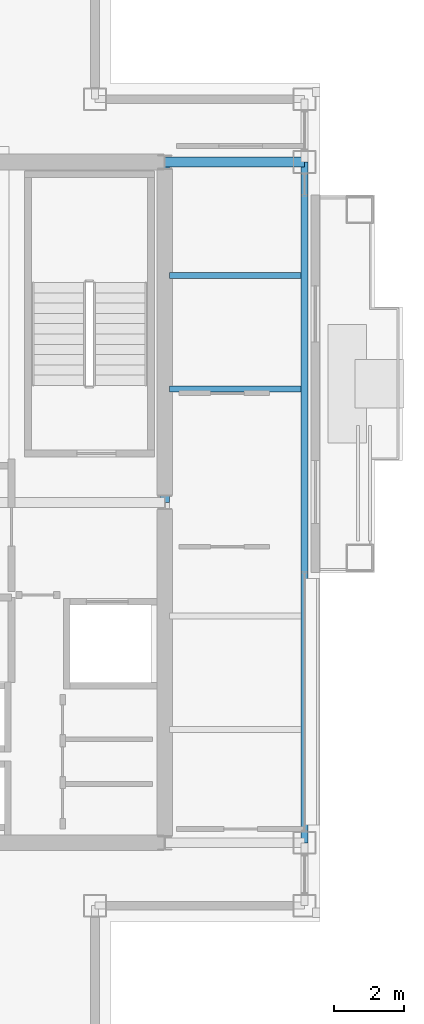
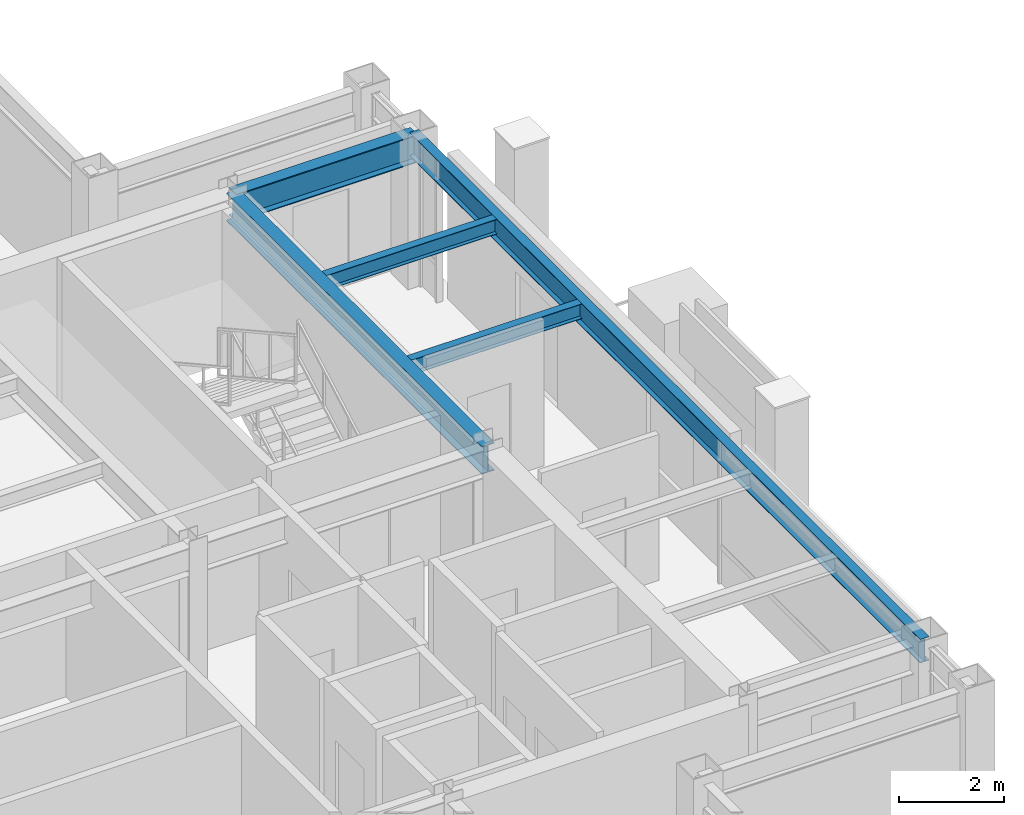
# One storey, part 12 of 24: 5 beams.
"""IFC4 building model written with IfcOpenShell, lengths in metres."""

from ifc_helpers import new_model, si_unit, direction, frame, origin, origin_2d, place, context, subcontext, project, spatial, i_section, extrude, material, material_profile, profile_set, type_object, element, save


model = new_model("IFC4")

# Units and contexts
model_context = context("Model", 3, precision=1e-05, world=origin(), true_north=direction((0.0, 1.0)))
body_context = subcontext(model_context, "Body", "Model", "MODEL_VIEW")
ifc_project = project(units=[si_unit("LENGTHUNIT", "METRE"), si_unit("AREAUNIT", "SQUARE_METRE"), si_unit("VOLUMEUNIT", "CUBIC_METRE"), si_unit("PLANEANGLEUNIT", "RADIAN"), si_unit("MASSUNIT", "GRAM", prefix="KILO")], contexts=[model_context])

# Site, building, storey
site_placement = place(None, origin())
site = spatial("IfcSite", under=ifc_project, at=site_placement, CompositionType="ELEMENT")
building_placement = place(site_placement, origin())
building = spatial("IfcBuilding", under=site, at=building_placement, Name="Brelmoor Portico Tower", CompositionType="ELEMENT")
storey_placement = place(building_placement, frame((0.0, 0.0, 229.199951171875)))
storey = spatial("IfcBuildingStorey", under=building, at=storey_placement, Name="L60", CompositionType="ELEMENT", Elevation=229.199951171875)

# Beams
ifc_material = material(Name="Steel Q355B", Category="steel")
ifc_material_profile_1 = material_profile(ifc_material, i_section(OverallWidth=0.175048828125, OverallDepth=0.35009765625, WebThickness=0.007080078125, FlangeThickness=0.010986328125, at=origin_2d()), Name="HN 350x175x7x11")
ifc_profile_set_1 = profile_set([ifc_material_profile_1], Name="Steel Q355B")
beam_type_1 = type_object("IfcBeamType", Name="BM-JS-350", PredefinedType="JOIST", material=ifc_profile_set_1)
for number, where, z_axis, x_axis, name in (
    (1, (14.68994140625, 3.25, 3.22509765625), (1.0, 0.0, 0.0), (0.0, 1.0, 0.0), "L60 Secondary Wing Joist JS-E13"),
    (2, (14.68994140625, 6.5, 3.22509765625), (1.0, 0.0, 0.0), (0.0, 1.0, 0.0), "L60 Secondary Wing Joist JS-E14"),
):
    element("IfcBeam", number, at=place(storey_placement, frame(where, z_axis=z_axis, x_axis=x_axis)), inside=storey, type_object=beam_type_1, Name=name, PredefinedType="JOIST", context=body_context, shape_type="SweptSolid", body=[
        extrude(i_section(OverallWidth=0.175048828125, OverallDepth=0.35009765625, WebThickness=0.007080078125, FlangeThickness=0.010986328125, at=origin_2d()), origin(), (0.0, 0.0, 1.0), 3.760009765625),
    ])
ifc_material_profile_2 = material_profile(ifc_material, i_section(OverallWidth=0.280029296875, OverallDepth=0.64990234375, WebThickness=0.012939453125, FlangeThickness=0.02197265625, at=origin_2d()), Name="HN 650x280x13x22")
ifc_profile_set_2 = profile_set([ifc_material_profile_2], Name="Steel Q355B")
beam_type_2 = type_object("IfcBeamType", Name="BM-PG-650", PredefinedType="BEAM", material=ifc_profile_set_2)
beam_1_placement = place(storey_placement, frame((14.550048828125, 0.0, 3.074951171875), z_axis=(0.0, 1.0, 0.0), x_axis=(-1.0, 0.0, 0.0)))
element("IfcBeam", 3, at=beam_1_placement, inside=storey, type_object=beam_type_2, Name="L60 Primary Floor Girder PG-10", PredefinedType="BEAM", context=body_context, shape_type="SweptSolid", body=[
    extrude(i_section(OverallWidth=0.280029296875, OverallDepth=0.64990234375, WebThickness=0.012939453125, FlangeThickness=0.02197265625, at=origin_2d()), origin(), (0.0, 0.0, 1.0), 9.75),
])
beam_2_placement = place(storey_placement, frame((14.550048828125, 9.75, 3.074951171875), z_axis=(1.0, 0.0, 0.0), x_axis=(0.0, 1.0, 0.0)))
element("IfcBeam", 4, at=beam_2_placement, inside=storey, type_object=beam_type_2, Name="L60 Primary Floor Girder PG-23", PredefinedType="BEAM", context=body_context, shape_type="SweptSolid", body=[
    extrude(i_section(OverallWidth=0.280029296875, OverallDepth=0.64990234375, WebThickness=0.012939453125, FlangeThickness=0.02197265625, at=origin_2d()), origin(), (0.0, 0.0, 1.0), 4.0),
])
ifc_material_profile_3 = material_profile(ifc_material, i_section(OverallWidth=0.199951171875, OverallDepth=0.550048828125, WebThickness=0.010009765625, FlangeThickness=0.01611328125, at=origin_2d()), Name="HN 550x200x10x16")
ifc_profile_set_3 = profile_set([ifc_material_profile_3], Name="Steel Q355B")
beam_type_3 = type_object("IfcBeamType", Name="BM-SP-550", PredefinedType="SPANDREL", material=ifc_profile_set_3)
beam_3_placement = place(storey_placement, frame((18.550048828125, -9.75, 3.125), z_axis=(0.0, 1.0, 0.0), x_axis=(-1.0, 0.0, 0.0)))
element("IfcBeam", 5, at=beam_3_placement, inside=storey, type_object=beam_type_3, Name="L60 Perimeter Spandrel Beam SP-19", PredefinedType="SPANDREL", context=body_context, shape_type="SweptSolid", body=[
    extrude(i_section(OverallWidth=0.199951171875, OverallDepth=0.550048828125, WebThickness=0.010009765625, FlangeThickness=0.01611328125, at=origin_2d()), origin(), (0.0, 0.0, 1.0), 19.5),
])

save(model, "model.ifc")
